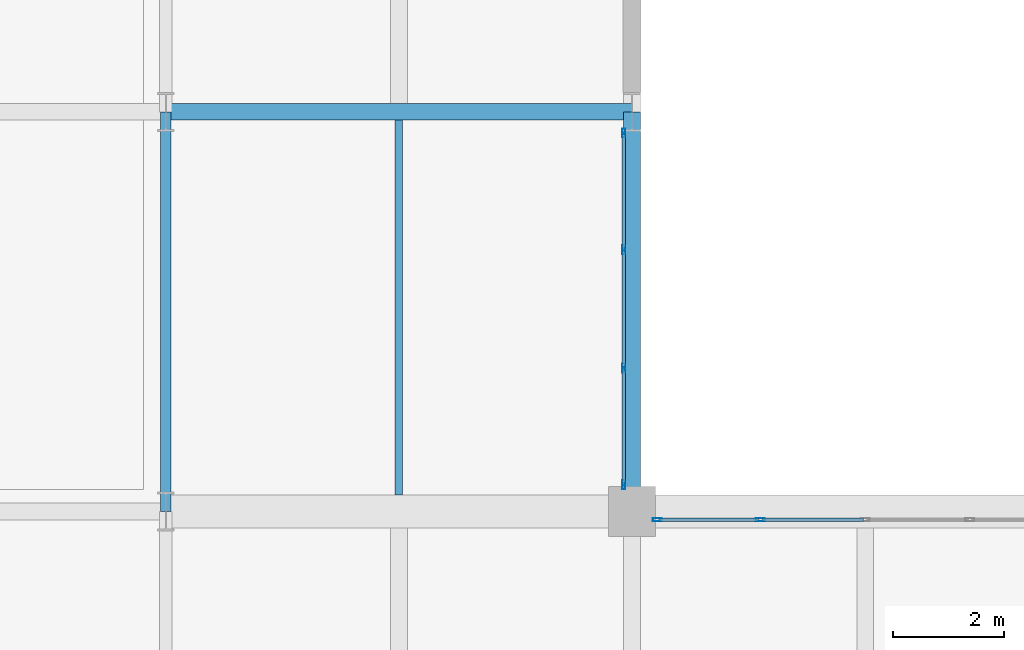
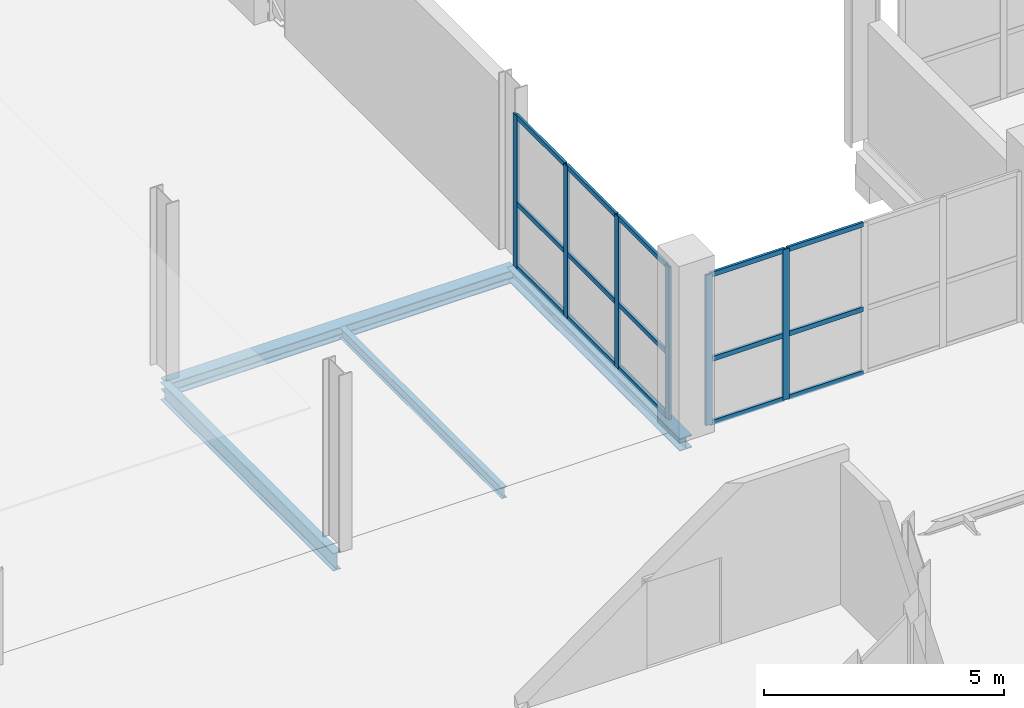
# One storey, part 30 of 113: 21 members, 4 beams, 2 elements without a shape of their own.
"""IFC4 building model written with IfcOpenShell, lengths in metres."""

from ifc_helpers import new_model, si_unit, direction, frame, origin, origin_2d, place, context, subcontext, project, spatial, hollow_rectangle, i_section, extrude, material, material_profile, profile_set, type_object, element, aggregate, save


model = new_model("IFC4")

# Units and contexts
model_context = context("Model", 3, precision=1e-05, world=origin(), true_north=direction((0.0, 1.0)))
body_context = subcontext(model_context, "Body", "Model", "MODEL_VIEW")
ifc_project = project(units=[si_unit("LENGTHUNIT", "METRE"), si_unit("AREAUNIT", "SQUARE_METRE"), si_unit("VOLUMEUNIT", "CUBIC_METRE"), si_unit("PLANEANGLEUNIT", "RADIAN"), si_unit("MASSUNIT", "GRAM", prefix="KILO")], contexts=[model_context])

# Site, building, storey
site_placement = place(None, origin())
site = spatial("IfcSite", under=ifc_project, at=site_placement, CompositionType="ELEMENT")
building_placement = place(site_placement, origin())
building = spatial("IfcBuilding", under=site, at=building_placement, Name="Veltarok Museum of Natural Sciences", CompositionType="ELEMENT")
storey_placement = place(building_placement, frame((0.0, 0.0, 8.39990234375)))
storey = spatial("IfcBuildingStorey", under=building, at=storey_placement, Name="L01", CompositionType="ELEMENT", Elevation=8.39990234375)

# Curtain wall, members
ifc_material_1 = material(Name="Low-iron triple insulated glass", Category="glass")
curtain_wall_type_1 = type_object("IfcCurtainWallType", Name="Curtain Wall System CW-V2E-L01-0-640x388 (CW-V2E L01 640x388cm)", PredefinedType="NOTDEFINED", material=ifc_material_1)
curtain_wall_1_placement = place(storey_placement, origin())
curtain_wall_1 = element("IfcCurtainWall", 1, at=curtain_wall_1_placement, inside=storey, type_object=curtain_wall_type_1, Name="Curtain Wall CW-V2E-L01-0-640x388 CW-0128", PredefinedType="NOTDEFINED")
ifc_material_2 = material(Name="Thermally broken anodised aluminium", Category="aluminium")
ifc_material_profile_1 = material_profile(ifc_material_2, hollow_rectangle(XDim=0.06005859375, YDim=0.1201171875, WallThickness=0.0048828125, at=origin_2d()), Name="CW TRANSOM 60x120x5")
ifc_profile_set_1 = profile_set([ifc_material_profile_1], Name="Thermally broken anodised aluminium")
member_type_1 = type_object("IfcMemberType", Name="Curtain Wall Horizontal Transom 60x120x5", PredefinedType="USERDEFINED", material=ifc_profile_set_1)
member_1_placement = place(storey_placement, frame((98.64990234375, 19.7099609375, 0.028076171875), z_axis=(0.0, 1.0, 0.0), x_axis=(-1.0, 0.0, 0.0)))
member_1 = element("IfcMember", 2, at=member_1_placement, type_object=member_type_1, Name="CW-V2E-L01-0-640x388 transom 1.1", ObjectType="TRANSOM", PredefinedType="USERDEFINED", context=body_context, shape_type="SweptSolid", body=[
    extrude(hollow_rectangle(XDim=0.06005859375, YDim=0.1201171875, WallThickness=0.0048828125, at=origin_2d()), origin(), (0.0, 0.0, 1.0), 2.04345703125),
])
member_2_placement = place(storey_placement, frame((98.64990234375, 19.7099609375, 1.648193359375), z_axis=(0.0, 1.0, 0.0), x_axis=(-1.0, 0.0, 0.0)))
member_2 = element("IfcMember", 3, at=member_2_placement, type_object=member_type_1, Name="CW-V2E-L01-0-640x388 transom 1.2", ObjectType="TRANSOM", PredefinedType="USERDEFINED", context=body_context, shape_type="SweptSolid", body=[
    extrude(hollow_rectangle(XDim=0.06005859375, YDim=0.1201171875, WallThickness=0.0048828125, at=origin_2d()), origin(), (0.0, 0.0, 1.0), 2.04345703125),
])
member_3_placement = place(storey_placement, frame((98.64990234375, 19.7099609375, 3.85009765625), z_axis=(0.0, 1.0, 0.0), x_axis=(-1.0, 0.0, 0.0)))
member_3 = element("IfcMember", 4, at=member_3_placement, type_object=member_type_1, Name="CW-V2E-L01-0-640x388 transom 1.3", ObjectType="TRANSOM", PredefinedType="USERDEFINED", context=body_context, shape_type="SweptSolid", body=[
    extrude(hollow_rectangle(XDim=0.06005859375, YDim=0.1201171875, WallThickness=0.0048828125, at=origin_2d()), origin(), (0.0, 0.0, 1.0), 2.04345703125),
])
member_4_placement = place(storey_placement, frame((98.64990234375, 21.813232421875, 0.028076171875), z_axis=(0.0, 1.0, 0.0), x_axis=(-1.0, 0.0, 0.0)))
member_4 = element("IfcMember", 5, at=member_4_placement, type_object=member_type_1, Name="CW-V2E-L01-0-640x388 transom 2.1", ObjectType="TRANSOM", PredefinedType="USERDEFINED", context=body_context, shape_type="SweptSolid", body=[
    extrude(hollow_rectangle(XDim=0.06005859375, YDim=0.1201171875, WallThickness=0.0048828125, at=origin_2d()), origin(), (0.0, 0.0, 1.0), 2.073486328125),
])
member_5_placement = place(storey_placement, frame((98.64990234375, 21.813232421875, 1.648193359375), z_axis=(0.0, 1.0, 0.0), x_axis=(-1.0, 0.0, 0.0)))
member_5 = element("IfcMember", 6, at=member_5_placement, type_object=member_type_1, Name="CW-V2E-L01-0-640x388 transom 2.2", ObjectType="TRANSOM", PredefinedType="USERDEFINED", context=body_context, shape_type="SweptSolid", body=[
    extrude(hollow_rectangle(XDim=0.06005859375, YDim=0.1201171875, WallThickness=0.0048828125, at=origin_2d()), origin(), (0.0, 0.0, 1.0), 2.073486328125),
])
member_6_placement = place(storey_placement, frame((98.64990234375, 21.813232421875, 3.85009765625), z_axis=(0.0, 1.0, 0.0), x_axis=(-1.0, 0.0, 0.0)))
member_6 = element("IfcMember", 7, at=member_6_placement, type_object=member_type_1, Name="CW-V2E-L01-0-640x388 transom 2.3", ObjectType="TRANSOM", PredefinedType="USERDEFINED", context=body_context, shape_type="SweptSolid", body=[
    extrude(hollow_rectangle(XDim=0.06005859375, YDim=0.1201171875, WallThickness=0.0048828125, at=origin_2d()), origin(), (0.0, 0.0, 1.0), 2.073486328125),
])
member_7_placement = place(storey_placement, frame((98.64990234375, 23.94677734375, 0.028076171875), z_axis=(0.0, 1.0, 0.0), x_axis=(-1.0, 0.0, 0.0)))
member_7 = element("IfcMember", 8, at=member_7_placement, type_object=member_type_1, Name="CW-V2E-L01-0-640x388 transom 3.1", ObjectType="TRANSOM", PredefinedType="USERDEFINED", context=body_context, shape_type="SweptSolid", body=[
    extrude(hollow_rectangle(XDim=0.06005859375, YDim=0.1201171875, WallThickness=0.0048828125, at=origin_2d()), origin(), (0.0, 0.0, 1.0), 2.043212890625),
])
member_8_placement = place(storey_placement, frame((98.64990234375, 23.94677734375, 1.648193359375), z_axis=(0.0, 1.0, 0.0), x_axis=(-1.0, 0.0, 0.0)))
member_8 = element("IfcMember", 9, at=member_8_placement, type_object=member_type_1, Name="CW-V2E-L01-0-640x388 transom 3.2", ObjectType="TRANSOM", PredefinedType="USERDEFINED", context=body_context, shape_type="SweptSolid", body=[
    extrude(hollow_rectangle(XDim=0.06005859375, YDim=0.1201171875, WallThickness=0.0048828125, at=origin_2d()), origin(), (0.0, 0.0, 1.0), 2.043212890625),
])
member_9_placement = place(storey_placement, frame((98.64990234375, 23.94677734375, 3.85009765625), z_axis=(0.0, 1.0, 0.0), x_axis=(-1.0, 0.0, 0.0)))
member_9 = element("IfcMember", 10, at=member_9_placement, type_object=member_type_1, Name="CW-V2E-L01-0-640x388 transom 3.3", ObjectType="TRANSOM", PredefinedType="USERDEFINED", context=body_context, shape_type="SweptSolid", body=[
    extrude(hollow_rectangle(XDim=0.06005859375, YDim=0.1201171875, WallThickness=0.0048828125, at=origin_2d()), origin(), (0.0, 0.0, 1.0), 2.043212890625),
])

curtain_wall_type_2 = type_object("IfcCurtainWallType", Name="Curtain Wall System CW-V1CN-L01-1-755x383 (CW-V1CN L01 755x383cm)", PredefinedType="NOTDEFINED", material=ifc_material_1)
curtain_wall_2_placement = place(storey_placement, origin())
curtain_wall_2 = element("IfcCurtainWall", 11, at=curtain_wall_2_placement, inside=storey, type_object=curtain_wall_type_2, Name="Curtain Wall CW-V1CN-L01-1-755x383 CW-0157", PredefinedType="NOTDEFINED")
member_10_placement = place(storey_placement, frame((102.969970703125, 19.050048828125, 0.028076171875), z_axis=(-1.0, 0.0, 0.0), x_axis=(0.0, -1.0, 0.0)))
member_10 = element("IfcMember", 12, at=member_10_placement, type_object=member_type_1, Name="CW-V1CN-L01-1-755x383 transom 3.1", ObjectType="TRANSOM", PredefinedType="USERDEFINED", context=body_context, shape_type="SweptSolid", body=[
    extrude(hollow_rectangle(XDim=0.06005859375, YDim=0.1201171875, WallThickness=0.0048828125, at=origin_2d()), origin(), (0.0, 0.0, 1.0), 1.827392578125),
])
member_11_placement = place(storey_placement, frame((102.969970703125, 19.050048828125, 1.648193359375), z_axis=(-1.0, 0.0, 0.0), x_axis=(0.0, -1.0, 0.0)))
member_11 = element("IfcMember", 13, at=member_11_placement, type_object=member_type_1, Name="CW-V1CN-L01-1-755x383 transom 3.2", ObjectType="TRANSOM", PredefinedType="USERDEFINED", context=body_context, shape_type="SweptSolid", body=[
    extrude(hollow_rectangle(XDim=0.06005859375, YDim=0.1201171875, WallThickness=0.0048828125, at=origin_2d()), origin(), (0.0, 0.0, 1.0), 1.827392578125),
])
member_12_placement = place(storey_placement, frame((102.969970703125, 19.050048828125, 3.800048828125), z_axis=(-1.0, 0.0, 0.0), x_axis=(0.0, -1.0, 0.0)))
member_12 = element("IfcMember", 14, at=member_12_placement, type_object=member_type_1, Name="CW-V1CN-L01-1-755x383 transom 3.3", ObjectType="TRANSOM", PredefinedType="USERDEFINED", context=body_context, shape_type="SweptSolid", body=[
    extrude(hollow_rectangle(XDim=0.06005859375, YDim=0.1201171875, WallThickness=0.0048828125, at=origin_2d()), origin(), (0.0, 0.0, 1.0), 1.827392578125),
])
member_13_placement = place(storey_placement, frame((101.08251953125, 19.050048828125, 0.028076171875), z_axis=(-1.0, 0.0, 0.0), x_axis=(0.0, -1.0, 0.0)))
member_13 = element("IfcMember", 15, at=member_13_placement, type_object=member_type_1, Name="CW-V1CN-L01-1-755x383 transom 4.1", ObjectType="TRANSOM", PredefinedType="USERDEFINED", context=body_context, shape_type="SweptSolid", body=[
    extrude(hollow_rectangle(XDim=0.06005859375, YDim=0.1201171875, WallThickness=0.0048828125, at=origin_2d()), origin(), (0.0, 0.0, 1.0), 1.797607421875),
])
member_14_placement = place(storey_placement, frame((101.08251953125, 19.050048828125, 1.648193359375), z_axis=(-1.0, 0.0, 0.0), x_axis=(0.0, -1.0, 0.0)))
member_14 = element("IfcMember", 16, at=member_14_placement, type_object=member_type_1, Name="CW-V1CN-L01-1-755x383 transom 4.2", ObjectType="TRANSOM", PredefinedType="USERDEFINED", context=body_context, shape_type="SweptSolid", body=[
    extrude(hollow_rectangle(XDim=0.06005859375, YDim=0.1201171875, WallThickness=0.0048828125, at=origin_2d()), origin(), (0.0, 0.0, 1.0), 1.797607421875),
])
member_15_placement = place(storey_placement, frame((101.08251953125, 19.050048828125, 3.800048828125), z_axis=(-1.0, 0.0, 0.0), x_axis=(0.0, -1.0, 0.0)))
member_15 = element("IfcMember", 17, at=member_15_placement, type_object=member_type_1, Name="CW-V1CN-L01-1-755x383 transom 4.3", ObjectType="TRANSOM", PredefinedType="USERDEFINED", context=body_context, shape_type="SweptSolid", body=[
    extrude(hollow_rectangle(XDim=0.06005859375, YDim=0.1201171875, WallThickness=0.0048828125, at=origin_2d()), origin(), (0.0, 0.0, 1.0), 1.797607421875),
])

# Member
ifc_material_profile_2 = material_profile(ifc_material_2, hollow_rectangle(XDim=0.06005859375, YDim=0.159912109375, WallThickness=0.0048828125, at=origin_2d()), Name="CW MULLION 60x160x5")
ifc_profile_set_2 = profile_set([ifc_material_profile_2], Name="Thermally broken anodised aluminium")
member_type_2 = type_object("IfcMemberType", Name="Curtain Wall Vertical Mullion 60x160x5", PredefinedType="MULLION", material=ifc_profile_set_2)
member_16_placement = place(storey_placement, frame((98.64990234375, 19.679931640625, -0.001953125), z_axis=(0.0, 0.0, 1.0), x_axis=(-1.0, 0.0, 0.0)))
member_16 = element("IfcMember", 18, at=member_16_placement, type_object=member_type_2, Name="CW-V2E-L01-0-640x388 mullion 1", PredefinedType="MULLION", context=body_context, shape_type="SweptSolid", body=[
    extrude(hollow_rectangle(XDim=0.06005859375, YDim=0.159912109375, WallThickness=0.0048828125, at=origin_2d()), origin(), (0.0, 0.0, 1.0), 3.882080078125),
])

member_17_placement = place(storey_placement, frame((98.64990234375, 21.783447265625, -0.001953125), z_axis=(0.0, 0.0, 1.0), x_axis=(-1.0, 0.0, 0.0)))
member_17 = element("IfcMember", 19, at=member_17_placement, type_object=member_type_2, Name="CW-V2E-L01-0-640x388 mullion 2", PredefinedType="MULLION", context=body_context, shape_type="SweptSolid", body=[
    extrude(hollow_rectangle(XDim=0.06005859375, YDim=0.159912109375, WallThickness=0.0048828125, at=origin_2d()), origin(), (0.0, 0.0, 1.0), 3.882080078125),
])

member_18_placement = place(storey_placement, frame((98.64990234375, 23.916748046875, -0.001953125), z_axis=(0.0, 0.0, 1.0), x_axis=(-1.0, 0.0, 0.0)))
member_18 = element("IfcMember", 20, at=member_18_placement, type_object=member_type_2, Name="CW-V2E-L01-0-640x388 mullion 3", PredefinedType="MULLION", context=body_context, shape_type="SweptSolid", body=[
    extrude(hollow_rectangle(XDim=0.06005859375, YDim=0.159912109375, WallThickness=0.0048828125, at=origin_2d()), origin(), (0.0, 0.0, 1.0), 3.882080078125),
])

member_19_placement = place(storey_placement, frame((98.64990234375, 26.02001953125, -0.001953125), z_axis=(0.0, 0.0, 1.0), x_axis=(-1.0, 0.0, 0.0)))
member_19 = element("IfcMember", 21, at=member_19_placement, type_object=member_type_2, Name="CW-V2E-L01-0-640x388 mullion 4", PredefinedType="MULLION", context=body_context, shape_type="SweptSolid", body=[
    extrude(hollow_rectangle(XDim=0.06005859375, YDim=0.159912109375, WallThickness=0.0048828125, at=origin_2d()), origin(), (0.0, 0.0, 1.0), 3.882080078125),
])

aggregate(curtain_wall_1, [member_16, member_17, member_18, member_19, member_1, member_2, member_3, member_4, member_5, member_6, member_7, member_8, member_9])

member_20_placement = place(storey_placement, frame((101.112548828125, 19.050048828125, -0.001953125), z_axis=(0.0, 0.0, 1.0), x_axis=(0.0, -1.0, 0.0)))
member_20 = element("IfcMember", 22, at=member_20_placement, type_object=member_type_2, Name="CW-V1CN-L01-1-755x383 mullion 4", PredefinedType="MULLION", context=body_context, shape_type="SweptSolid", body=[
    extrude(hollow_rectangle(XDim=0.06005859375, YDim=0.159912109375, WallThickness=0.0048828125, at=origin_2d()), origin(), (0.0, 0.0, 1.0), 3.83203125),
])

member_21_placement = place(storey_placement, frame((99.2548828125, 19.050048828125, -0.001953125), z_axis=(0.0, 0.0, 1.0), x_axis=(0.0, -1.0, 0.0)))
member_21 = element("IfcMember", 23, at=member_21_placement, type_object=member_type_2, Name="CW-V1CN-L01-1-755x383 mullion 5", PredefinedType="MULLION", context=body_context, shape_type="SweptSolid", body=[
    extrude(hollow_rectangle(XDim=0.06005859375, YDim=0.159912109375, WallThickness=0.0048828125, at=origin_2d()), origin(), (0.0, 0.0, 1.0), 3.83203125),
])

aggregate(curtain_wall_2, [member_20, member_21, member_10, member_11, member_12, member_13, member_14, member_15])

# Beams
ifc_material_3 = material(Name="Steel S355J2", Category="steel")
ifc_material_profile_3 = material_profile(ifc_material_3, i_section(OverallWidth=0.18994140625, OverallDepth=0.449951171875, WebThickness=0.009521484375, FlangeThickness=0.0146484375, FilletRadius=0.02099609375, at=origin_2d()), Name="IPE 450")
ifc_profile_set_3 = profile_set([ifc_material_profile_3], Name="Steel S355J2")
beam_type_1 = type_object("IfcBeamType", Name="Laboratory Floor Girder IPE 450", PredefinedType="BEAM", material=ifc_profile_set_3)
beam_1_placement = place(storey_placement, frame((90.39990234375, 19.199951171875, -0.474853515625), z_axis=(0.0, 1.0, 0.0), x_axis=(-1.0, 0.0, 0.0)))
element("IfcBeam", 24, at=beam_1_placement, inside=storey, type_object=beam_type_1, Name="Beam BM-G05 L01 11/C-D", PredefinedType="BEAM", context=body_context, shape_type="SweptSolid", body=[
    extrude(i_section(OverallWidth=0.18994140625, OverallDepth=0.449951171875, WebThickness=0.009521484375, FlangeThickness=0.0146484375, FilletRadius=0.02099609375, at=origin_2d()), origin(), (0.0, 0.0, 1.0), 7.199951171875),
])
ifc_material_profile_4 = material_profile(ifc_material_3, i_section(OverallWidth=0.300048828125, OverallDepth=0.320068359375, WebThickness=0.011474609375, FlangeThickness=0.0205078125, FilletRadius=0.027099609375, at=origin_2d()), Name="HEB 320")
ifc_profile_set_4 = profile_set([ifc_material_profile_4], Name="Steel S355J2")
beam_type_2 = type_object("IfcBeamType", Name="Perimeter Sawtooth Spandrel HEB 320", PredefinedType="SPANDREL", material=ifc_profile_set_4)
beam_2_placement = place(storey_placement, frame((90.39990234375, 26.39990234375, -0.409912109375), z_axis=(1.0, 0.0, 0.0), x_axis=(0.0, 1.0, 0.0)))
element("IfcBeam", 25, at=beam_2_placement, inside=storey, type_object=beam_type_2, Name="Beam BM-SP06 L01 11-12/D", PredefinedType="SPANDREL", context=body_context, shape_type="SweptSolid", body=[
    extrude(i_section(OverallWidth=0.300048828125, OverallDepth=0.320068359375, WebThickness=0.011474609375, FlangeThickness=0.0205078125, FilletRadius=0.027099609375, at=origin_2d()), origin(), (0.0, 0.0, 1.0), 8.400146484375),
])
beam_3_placement = place(storey_placement, frame((98.800048828125, 19.199951171875, -0.409912109375), z_axis=(0.0, 1.0, 0.0), x_axis=(-1.0, 0.0, 0.0)))
element("IfcBeam", 26, at=beam_3_placement, inside=storey, type_object=beam_type_2, Name="Beam BM-SP06 L01 12/C-D", PredefinedType="SPANDREL", context=body_context, shape_type="SweptSolid", body=[
    extrude(i_section(OverallWidth=0.300048828125, OverallDepth=0.320068359375, WebThickness=0.011474609375, FlangeThickness=0.0205078125, FilletRadius=0.027099609375, at=origin_2d()), origin(), (0.0, 0.0, 1.0), 7.199951171875),
])
ifc_material_profile_5 = material_profile(ifc_material_3, i_section(OverallWidth=0.135009765625, OverallDepth=0.27001953125, WebThickness=0.006591796875, FlangeThickness=0.01025390625, FilletRadius=0.014892578125, at=origin_2d()), Name="IPE 270")
ifc_profile_set_5 = profile_set([ifc_material_profile_5], Name="Steel S355J2")
beam_type_3 = type_object("IfcBeamType", Name="Short-Bay Composite Joist IPE 270", PredefinedType="JOIST", material=ifc_profile_set_5)
beam_4_placement = place(storey_placement, frame((94.60009765625, 19.498046875, -0.385009765625), z_axis=(0.0, 1.0, 0.0), x_axis=(-1.0, 0.0, 0.0)))
element("IfcBeam", 27, at=beam_4_placement, inside=storey, type_object=beam_type_3, Name="Secondary Joist BM-J04 L01 11-12/C-D.1", PredefinedType="JOIST", context=body_context, shape_type="SweptSolid", body=[
    extrude(i_section(OverallWidth=0.135009765625, OverallDepth=0.27001953125, WebThickness=0.006591796875, FlangeThickness=0.01025390625, FilletRadius=0.014892578125, at=origin_2d()), origin(), (0.0, 0.0, 1.0), 6.75390625),
])

save(model, "model.ifc")
